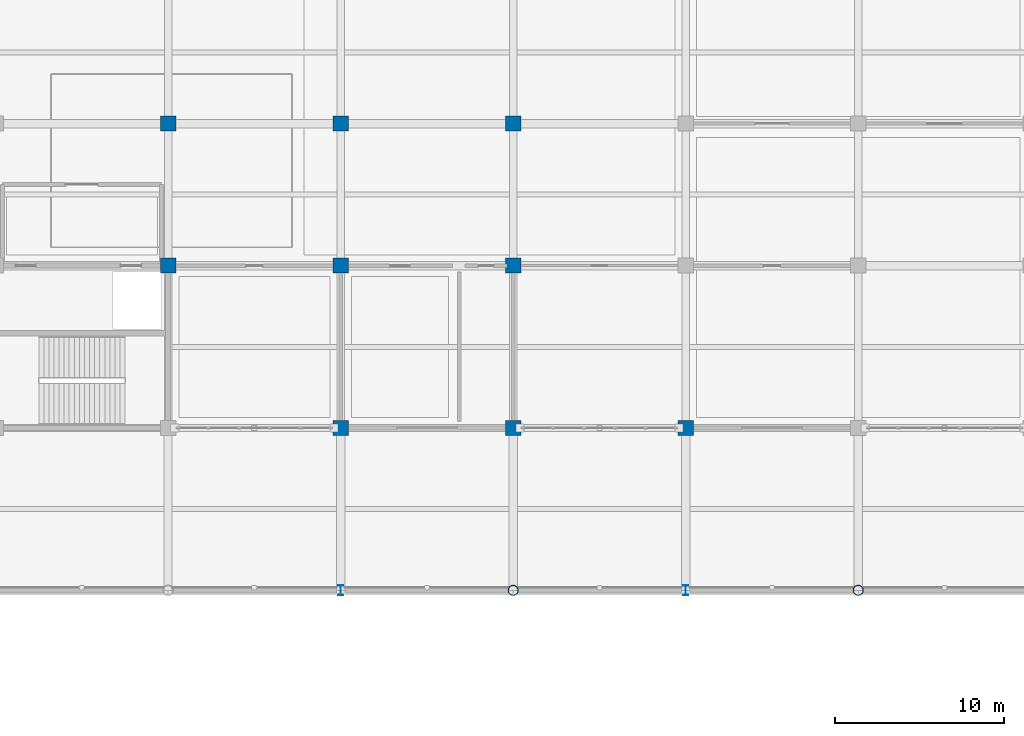
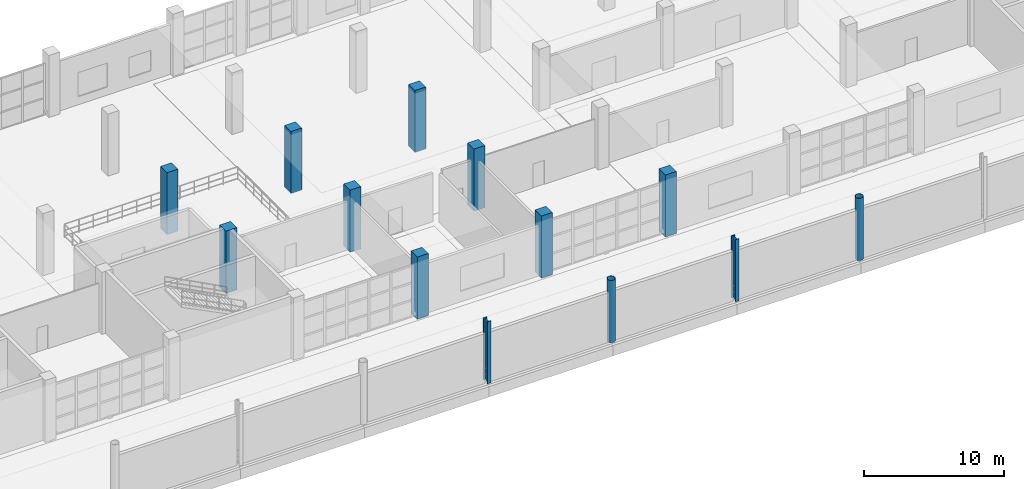
# One storey, part 7 of 175: 13 columns.
"""IFC4 building model written with IfcOpenShell, lengths in metres."""

from ifc_helpers import new_model, si_unit, direction, frame, origin, origin_2d, place, context, subcontext, project, spatial, rectangle, hollow_circle, i_section, extrude, material, material_profile, profile_set, type_object, element, save


model = new_model("IFC4")

# Units and contexts
model_context = context("Model", 3, precision=1e-05, world=origin(), true_north=direction((0.0, 1.0)))
body_context = subcontext(model_context, "Body", "Model", "MODEL_VIEW")
ifc_project = project(units=[si_unit("LENGTHUNIT", "METRE"), si_unit("AREAUNIT", "SQUARE_METRE"), si_unit("VOLUMEUNIT", "CUBIC_METRE"), si_unit("PLANEANGLEUNIT", "RADIAN"), si_unit("MASSUNIT", "GRAM", prefix="KILO")], contexts=[model_context])

# Site, building, storey
site_placement = place(None, origin())
site = spatial("IfcSite", under=ifc_project, at=site_placement, CompositionType="ELEMENT")
building_placement = place(site_placement, origin())
building = spatial("IfcBuilding", under=site, at=building_placement, Name="Brelvane Convention Centre", CompositionType="ELEMENT")
storey_placement = place(building_placement, frame((0.0, 0.0, 5.39990234375)))
storey = spatial("IfcBuildingStorey", under=building, at=storey_placement, Name="L01", CompositionType="ELEMENT", Elevation=5.39990234375)

# Columns
ifc_material_1 = material(Name="Concrete M50", Category="concrete")
ifc_material_profile_1 = material_profile(ifc_material_1, rectangle(XDim=0.89990234375, YDim=0.89990234375, at=origin_2d()), Name="RC 900x900")
ifc_profile_set_1 = profile_set([ifc_material_profile_1], Name="Concrete M50")
column_type_1 = type_object("IfcColumnType", Name="RC Column C-RC2 (RC 900x900)", PredefinedType="COLUMN", material=ifc_profile_set_1)
for number, where, z_axis, x_axis, name in (
    (1, (40.800048828125, 118.800048828125, 0.0), (0.0, 0.0, 1.0), (1.0, 0.0, 0.0), "Column 5-M (L01)"),
    (2, (40.800048828125, 127.199951171875, 0.0), (0.0, 0.0, 1.0), (1.0, 0.0, 0.0), "Column 5-N (L01)"),
    (3, (51.0, 109.199951171875, 0.0), (0.0, 0.0, 1.0), (1.0, 0.0, 0.0), "Column 6-L (L01)"),
    (4, (51.0, 118.800048828125, 0.0), (0.0, 0.0, 1.0), (1.0, 0.0, 0.0), "Column 6-M (L01)"),
    (5, (51.0, 127.199951171875, 0.0), (0.0, 0.0, 1.0), (1.0, 0.0, 0.0), "Column 6-N (L01)"),
    (6, (61.199951171875, 109.199951171875, 0.0), (0.0, 0.0, 1.0), (1.0, 0.0, 0.0), "Column 7-L (L01)"),
    (7, (61.199951171875, 118.800048828125, 0.0), (0.0, 0.0, 1.0), (1.0, 0.0, 0.0), "Column 7-M (L01)"),
    (8, (61.199951171875, 127.199951171875, 0.0), (0.0, 0.0, 1.0), (1.0, 0.0, 0.0), "Column 7-N (L01)"),
    (9, (71.39990234375, 109.199951171875, 0.0), (0.0, 0.0, 1.0), (1.0, 0.0, 0.0), "Column 8-L (L01)"),
):
    element("IfcColumn", number, at=place(storey_placement, frame(where, z_axis=z_axis, x_axis=x_axis)), inside=storey, type_object=column_type_1, Name=name, PredefinedType="COLUMN", context=body_context, shape_type="SweptSolid", body=[
        extrude(rectangle(XDim=0.89990234375, YDim=0.89990234375, at=origin_2d()), origin(), (0.0, 0.0, 1.0), 5.400146484375),
    ])
ifc_material_2 = material(Name="Steel E450 (450 MPa)", Category="steel")
ifc_material_profile_2 = material_profile(ifc_material_2, hollow_circle(Radius=0.304931640625, WallThickness=0.02490234375, at=origin_2d()), Name="CHS 610.0x25.0")
ifc_profile_set_2 = profile_set([ifc_material_profile_2], Name="Steel E450 (450 MPa)")
column_type_2 = type_object("IfcColumnType", Name="Steel Column C-ST1 (CHS 610.0x25.0)", PredefinedType="COLUMN", material=ifc_profile_set_2)
for number, where, z_axis, x_axis, name in (
    (10, (61.199951171875, 99.60009765625, 0.0), (0.0, 0.0, 1.0), (1.0, 0.0, 0.0), "Column 7-K (L01)"),
    (11, (81.60009765625, 99.60009765625, 0.0), (0.0, 0.0, 1.0), (1.0, 0.0, 0.0), "Column 9-K (L01)"),
):
    element("IfcColumn", number, at=place(storey_placement, frame(where, z_axis=z_axis, x_axis=x_axis)), inside=storey, type_object=column_type_2, Name=name, PredefinedType="COLUMN", context=body_context, shape_type="SweptSolid", body=[
        extrude(hollow_circle(Radius=0.304931640625, WallThickness=0.02490234375, at=origin_2d()), origin(), (0.0, 0.0, 1.0), 5.400146484375),
    ])
ifc_material_3 = material(Name="Steel E450 (450 MPa)", Category="steel")
ifc_material_profile_3 = material_profile(ifc_material_3, i_section(OverallWidth=0.300048828125, OverallDepth=0.60009765625, WebThickness=0.015380859375, FlangeThickness=0.030029296875, FilletRadius=0.027099609375, at=origin_2d()), Name="WPB 600x300")
ifc_profile_set_3 = profile_set([ifc_material_profile_3], Name="Steel E450 (450 MPa)")
column_type_3 = type_object("IfcColumnType", Name="Steel Column C-ST5 (WPB 600x300)", PredefinedType="COLUMN", material=ifc_profile_set_3)
for number, where, z_axis, x_axis, name in (
    (12, (51.0, 99.60009765625, 0.0), (0.0, 0.0, 1.0), (1.0, 0.0, 0.0), "Column 6-K (L01)"),
    (13, (71.39990234375, 99.60009765625, 0.0), (0.0, 0.0, 1.0), (1.0, 0.0, 0.0), "Column 8-K (L01)"),
):
    element("IfcColumn", number, at=place(storey_placement, frame(where, z_axis=z_axis, x_axis=x_axis)), inside=storey, type_object=column_type_3, Name=name, PredefinedType="COLUMN", context=body_context, shape_type="SweptSolid", body=[
        extrude(i_section(OverallWidth=0.300048828125, OverallDepth=0.60009765625, WebThickness=0.015380859375, FlangeThickness=0.030029296875, FilletRadius=0.027099609375, at=origin_2d()), origin(), (0.0, 0.0, 1.0), 5.400146484375),
    ])

save(model, "model.ifc")
